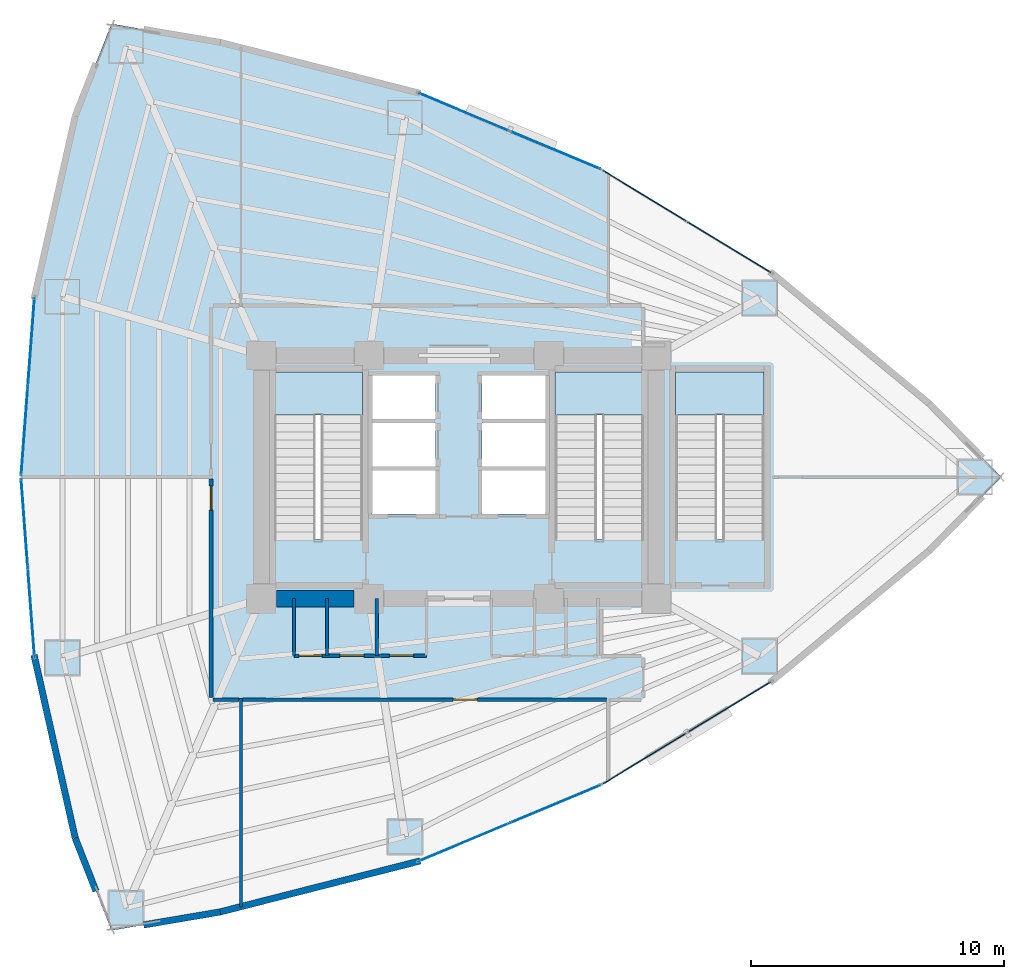
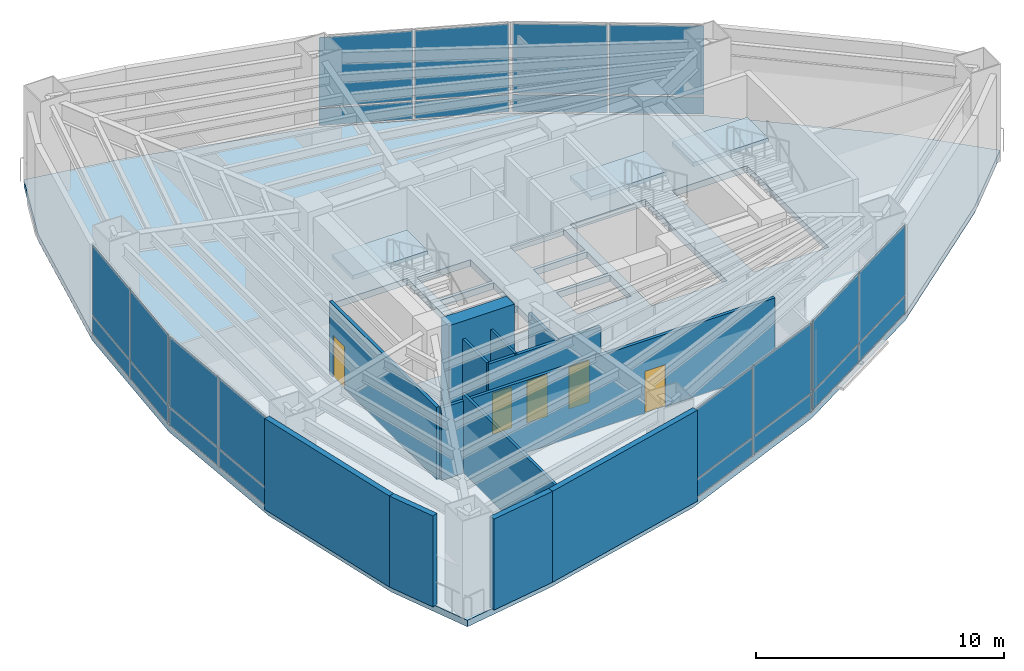
# One storey, part 13 of 18: 24 plates, 13 walls, 5 doors, 4 slabs, 5 openings, 9 elements without a shape of their own.
"""IFC4 building model written with IfcOpenShell, lengths in metres."""

from ifc_helpers import new_model, si_unit, direction, frame, frame_2d, origin, origin_2d, place, context, subcontext, project, spatial, polyline, rectangle, outline, extrude, material, layer, layer_set, type_object, element, fill, aggregate, save


model = new_model("IFC4")

# Units and contexts
model_context = context("Model", 3, precision=1e-05, world=origin(), true_north=direction((0.0, 1.0)))
body_context = subcontext(model_context, "Body", "Model", "MODEL_VIEW")
ifc_project = project(units=[si_unit("LENGTHUNIT", "METRE"), si_unit("AREAUNIT", "SQUARE_METRE"), si_unit("VOLUMEUNIT", "CUBIC_METRE"), si_unit("PLANEANGLEUNIT", "RADIAN"), si_unit("MASSUNIT", "GRAM", prefix="KILO")], contexts=[model_context])

# Site, building, storey
site_placement = place(None, origin())
site = spatial("IfcSite", under=ifc_project, at=site_placement, CompositionType="ELEMENT")
building_placement = place(site_placement, origin())
building = spatial("IfcBuilding", under=site, at=building_placement, Name="Menara Vayukalpa", CompositionType="ELEMENT")
storey_placement = place(building_placement, frame((0.0, 0.0, 7.199951171875)))
storey = spatial("IfcBuildingStorey", under=building, at=storey_placement, Name="L01", CompositionType="ELEMENT", Elevation=7.199951171875)

# Curtain wall, plates
ifc_material_1 = material(Name="Anodised Terracotta Aluminium Alloy 6063-T6", Category="masonry")
ifc_layer_1 = layer(ifc_material_1, 0.179931640625)
ifc_layer_set_1 = layer_set([ifc_layer_1], Name="Anodised Terracotta Aluminium Alloy 6063-T6")
curtain_wall_type = type_object("IfcCurtainWallType", Name="CW-CW1", PredefinedType="USERDEFINED", material=ifc_layer_set_1)
curtain_wall_1_placement = place(storey_placement, origin())
curtain_wall_1 = element("IfcCurtainWall", 1, at=curtain_wall_1_placement, inside=storey, type_object=curtain_wall_type, Name="L01 Podium Unitised Ribbon Curtain Wall CW1 04", ObjectType="UNITISED", PredefinedType="USERDEFINED")
ifc_material_2 = material(Name="Low-E Double Glazing", Category="glass")
ifc_layer_2 = layer(ifc_material_2, 0.035888671875)
ifc_layer_set_2 = layer_set([ifc_layer_2], Name="Low-E Double Glazing")
plate_type = type_object("IfcPlateType", Name="CWP-CW1", PredefinedType="CURTAIN_PANEL", material=ifc_layer_set_2)
plate_1_placement = place(storey_placement, frame((36.274169921875, 31.083251953125, 0.0751953125), z_axis=(0.0, 0.0, 1.0), x_axis=(-0.854664994604, 0.519179879231, 0.0)))
plate_1 = element("IfcPlate", 2, at=plate_1_placement, type_object=plate_type, Name="CW1 panel 1.1", PredefinedType="CURTAIN_PANEL", context=body_context, shape_type="SweptSolid", body=[
    extrude(rectangle(XDim=3.825927734375, YDim=0.035888671875, at=origin_2d()), origin(), (0.0, 0.0, 1.0), 0.83740234375),
])
plate_2_placement = place(storey_placement, frame((36.274169921875, 31.083251953125, 0.987548828125), z_axis=(0.0, 0.0, 1.0), x_axis=(-0.854664994604, 0.519179879231, 0.0)))
plate_2 = element("IfcPlate", 3, at=plate_2_placement, type_object=plate_type, Name="CW1 panel 1.2", PredefinedType="CURTAIN_PANEL", context=body_context, shape_type="SweptSolid", body=[
    extrude(rectangle(XDim=3.825927734375, YDim=0.035888671875, at=origin_2d()), origin(), (0.0, 0.0, 1.0), 3.41748046875),
])
plate_3_placement = place(storey_placement, frame((32.940185546875, 33.1083984375, 0.0751953125), z_axis=(0.0, 0.0, 1.0), x_axis=(-0.854664994604, 0.519179879231, 0.0)))
plate_3 = element("IfcPlate", 4, at=plate_3_placement, type_object=plate_type, Name="CW1 panel 2.1", PredefinedType="CURTAIN_PANEL", context=body_context, shape_type="SweptSolid", body=[
    extrude(rectangle(XDim=3.825927734375, YDim=0.035888671875, at=origin_2d()), origin(), (0.0, 0.0, 1.0), 0.83740234375),
])
plate_4_placement = place(storey_placement, frame((32.940185546875, 33.1083984375, 0.987548828125), z_axis=(0.0, 0.0, 1.0), x_axis=(-0.854664994604, 0.519179879231, 0.0)))
plate_4 = element("IfcPlate", 5, at=plate_4_placement, type_object=plate_type, Name="CW1 panel 2.2", PredefinedType="CURTAIN_PANEL", context=body_context, shape_type="SweptSolid", body=[
    extrude(rectangle(XDim=3.825927734375, YDim=0.035888671875, at=origin_2d()), origin(), (0.0, 0.0, 1.0), 3.41748046875),
])
aggregate(curtain_wall_1, [plate_1, plate_2, plate_3, plate_4])

curtain_wall_2_placement = place(storey_placement, origin())
curtain_wall_2 = element("IfcCurtainWall", 6, at=curtain_wall_2_placement, inside=storey, type_object=curtain_wall_type, Name="L01 Podium Unitised Ribbon Curtain Wall CW1 05", ObjectType="UNITISED", PredefinedType="USERDEFINED")
plate_5_placement = place(storey_placement, frame((29.407470703125, 34.90771484375, 0.0751953125), z_axis=(0.0, 0.0, 1.0), x_axis=(-0.922544543499, 0.385890613077, 0.0)))
plate_5 = element("IfcPlate", 7, at=plate_5_placement, type_object=plate_type, Name="CW1 panel 1.1", PredefinedType="CURTAIN_PANEL", context=body_context, shape_type="SweptSolid", body=[
    extrude(rectangle(XDim=3.82568359375, YDim=0.035888671875, at=origin_2d()), origin(), (0.0, 0.0, 1.0), 0.83740234375),
])
plate_6_placement = place(storey_placement, frame((29.407470703125, 34.90771484375, 0.987548828125), z_axis=(0.0, 0.0, 1.0), x_axis=(-0.922544543499, 0.385890613077, 0.0)))
plate_6 = element("IfcPlate", 8, at=plate_6_placement, type_object=plate_type, Name="CW1 panel 1.2", PredefinedType="CURTAIN_PANEL", context=body_context, shape_type="SweptSolid", body=[
    extrude(rectangle(XDim=3.82568359375, YDim=0.035888671875, at=origin_2d()), origin(), (0.0, 0.0, 1.0), 3.41748046875),
])
plate_7_placement = place(storey_placement, frame((25.808837890625, 36.412841796875, 0.0751953125), z_axis=(0.0, 0.0, 1.0), x_axis=(-0.922544543499, 0.385890613077, 0.0)))
plate_7 = element("IfcPlate", 9, at=plate_7_placement, type_object=plate_type, Name="CW1 panel 2.1", PredefinedType="CURTAIN_PANEL", context=body_context, shape_type="SweptSolid", body=[
    extrude(rectangle(XDim=3.82568359375, YDim=0.035888671875, at=origin_2d()), origin(), (0.0, 0.0, 1.0), 0.83740234375),
])
plate_8_placement = place(storey_placement, frame((25.808837890625, 36.412841796875, 0.987548828125), z_axis=(0.0, 0.0, 1.0), x_axis=(-0.922544543499, 0.385890613077, 0.0)))
plate_8 = element("IfcPlate", 10, at=plate_8_placement, type_object=plate_type, Name="CW1 panel 2.2", PredefinedType="CURTAIN_PANEL", context=body_context, shape_type="SweptSolid", body=[
    extrude(rectangle(XDim=3.82568359375, YDim=0.035888671875, at=origin_2d()), origin(), (0.0, 0.0, 1.0), 3.41748046875),
])
aggregate(curtain_wall_2, [plate_5, plate_6, plate_7, plate_8])

curtain_wall_3_placement = place(storey_placement, origin())
curtain_wall_3 = element("IfcCurtainWall", 11, at=curtain_wall_3_placement, inside=storey, type_object=curtain_wall_type, Name="L01 Podium Unitised Ribbon Curtain Wall CW1 10", ObjectType="UNITISED", PredefinedType="USERDEFINED")
plate_9_placement = place(storey_placement, frame((8.717041015625, 27.327880859375, 0.0751953125), z_axis=(0.0, 0.0, 1.0), x_axis=(-0.074794468953, -0.997198970825, 0.0)))
plate_9 = element("IfcPlate", 12, at=plate_9_placement, type_object=plate_type, Name="CW1 panel 1.1", PredefinedType="CURTAIN_PANEL", context=body_context, shape_type="SweptSolid", body=[
    extrude(rectangle(XDim=3.4619140625, YDim=0.035888671875, at=origin_2d()), origin(), (0.0, 0.0, 1.0), 0.83740234375),
])
plate_10_placement = place(storey_placement, frame((8.717041015625, 27.327880859375, 0.987548828125), z_axis=(0.0, 0.0, 1.0), x_axis=(-0.074794468953, -0.997198970825, 0.0)))
plate_10 = element("IfcPlate", 13, at=plate_10_placement, type_object=plate_type, Name="CW1 panel 1.2", PredefinedType="CURTAIN_PANEL", context=body_context, shape_type="SweptSolid", body=[
    extrude(rectangle(XDim=3.4619140625, YDim=0.035888671875, at=origin_2d()), origin(), (0.0, 0.0, 1.0), 3.41748046875),
])
plate_11_placement = place(storey_placement, frame((8.452392578125, 23.801025390625, 0.0751953125), z_axis=(0.0, 0.0, 1.0), x_axis=(-0.074794468953, -0.997198970825, 0.0)))
plate_11 = element("IfcPlate", 14, at=plate_11_placement, type_object=plate_type, Name="CW1 panel 2.1", PredefinedType="CURTAIN_PANEL", context=body_context, shape_type="SweptSolid", body=[
    extrude(rectangle(XDim=3.4619140625, YDim=0.035888671875, at=origin_2d()), origin(), (0.0, 0.0, 1.0), 0.83740234375),
])
plate_12_placement = place(storey_placement, frame((8.452392578125, 23.801025390625, 0.987548828125), z_axis=(0.0, 0.0, 1.0), x_axis=(-0.074794468953, -0.997198970825, 0.0)))
plate_12 = element("IfcPlate", 15, at=plate_12_placement, type_object=plate_type, Name="CW1 panel 2.2", PredefinedType="CURTAIN_PANEL", context=body_context, shape_type="SweptSolid", body=[
    extrude(rectangle(XDim=3.4619140625, YDim=0.035888671875, at=origin_2d()), origin(), (0.0, 0.0, 1.0), 3.41748046875),
])
aggregate(curtain_wall_3, [plate_9, plate_10, plate_11, plate_12])

curtain_wall_4_placement = place(storey_placement, origin())
curtain_wall_4 = element("IfcCurtainWall", 16, at=curtain_wall_4_placement, inside=storey, type_object=curtain_wall_type, Name="L01 Podium Unitised Ribbon Curtain Wall CW1 11", ObjectType="UNITISED", PredefinedType="USERDEFINED")
plate_13_placement = place(storey_placement, frame((8.452392578125, 20.198974609375, 0.0751953125), z_axis=(0.0, 0.0, 1.0), x_axis=(0.074794468953, -0.997198970825, 0.0)))
plate_13 = element("IfcPlate", 17, at=plate_13_placement, type_object=plate_type, Name="CW1 panel 1.1", PredefinedType="CURTAIN_PANEL", context=body_context, shape_type="SweptSolid", body=[
    extrude(rectangle(XDim=3.4619140625, YDim=0.035888671875, at=origin_2d()), origin(), (0.0, 0.0, 1.0), 0.83740234375),
])
plate_14_placement = place(storey_placement, frame((8.452392578125, 20.198974609375, 0.987548828125), z_axis=(0.0, 0.0, 1.0), x_axis=(0.074794468953, -0.997198970825, 0.0)))
plate_14 = element("IfcPlate", 18, at=plate_14_placement, type_object=plate_type, Name="CW1 panel 1.2", PredefinedType="CURTAIN_PANEL", context=body_context, shape_type="SweptSolid", body=[
    extrude(rectangle(XDim=3.4619140625, YDim=0.035888671875, at=origin_2d()), origin(), (0.0, 0.0, 1.0), 3.41748046875),
])
plate_15_placement = place(storey_placement, frame((8.717041015625, 16.672119140625, 0.0751953125), z_axis=(0.0, 0.0, 1.0), x_axis=(0.074794468953, -0.997198970825, 0.0)))
plate_15 = element("IfcPlate", 19, at=plate_15_placement, type_object=plate_type, Name="CW1 panel 2.1", PredefinedType="CURTAIN_PANEL", context=body_context, shape_type="SweptSolid", body=[
    extrude(rectangle(XDim=3.4619140625, YDim=0.035888671875, at=origin_2d()), origin(), (0.0, 0.0, 1.0), 0.83740234375),
])
plate_16_placement = place(storey_placement, frame((8.717041015625, 16.672119140625, 0.987548828125), z_axis=(0.0, 0.0, 1.0), x_axis=(0.074794468953, -0.997198970825, 0.0)))
plate_16 = element("IfcPlate", 20, at=plate_16_placement, type_object=plate_type, Name="CW1 panel 2.2", PredefinedType="CURTAIN_PANEL", context=body_context, shape_type="SweptSolid", body=[
    extrude(rectangle(XDim=3.4619140625, YDim=0.035888671875, at=origin_2d()), origin(), (0.0, 0.0, 1.0), 3.41748046875),
])
aggregate(curtain_wall_4, [plate_13, plate_14, plate_15, plate_16])

curtain_wall_5_placement = place(storey_placement, origin())
curtain_wall_5 = element("IfcCurtainWall", 21, at=curtain_wall_5_placement, inside=storey, type_object=curtain_wall_type, Name="L01 Podium Unitised Ribbon Curtain Wall CW1 16", ObjectType="UNITISED", PredefinedType="USERDEFINED")
plate_17_placement = place(storey_placement, frame((25.808837890625, 7.587158203125, 0.0751953125), z_axis=(0.0, 0.0, 1.0), x_axis=(0.922544543499, 0.385890613077, 0.0)))
plate_17 = element("IfcPlate", 22, at=plate_17_placement, type_object=plate_type, Name="CW1 panel 1.1", PredefinedType="CURTAIN_PANEL", context=body_context, shape_type="SweptSolid", body=[
    extrude(rectangle(XDim=3.82568359375, YDim=0.035888671875, at=origin_2d()), origin(), (0.0, 0.0, 1.0), 0.83740234375),
])
plate_18_placement = place(storey_placement, frame((25.808837890625, 7.587158203125, 0.987548828125), z_axis=(0.0, 0.0, 1.0), x_axis=(0.922544543499, 0.385890613077, 0.0)))
plate_18 = element("IfcPlate", 23, at=plate_18_placement, type_object=plate_type, Name="CW1 panel 1.2", PredefinedType="CURTAIN_PANEL", context=body_context, shape_type="SweptSolid", body=[
    extrude(rectangle(XDim=3.82568359375, YDim=0.035888671875, at=origin_2d()), origin(), (0.0, 0.0, 1.0), 3.41748046875),
])
plate_19_placement = place(storey_placement, frame((29.407470703125, 9.09228515625, 0.0751953125), z_axis=(0.0, 0.0, 1.0), x_axis=(0.922544543499, 0.385890613077, 0.0)))
plate_19 = element("IfcPlate", 24, at=plate_19_placement, type_object=plate_type, Name="CW1 panel 2.1", PredefinedType="CURTAIN_PANEL", context=body_context, shape_type="SweptSolid", body=[
    extrude(rectangle(XDim=3.82568359375, YDim=0.035888671875, at=origin_2d()), origin(), (0.0, 0.0, 1.0), 0.83740234375),
])
plate_20_placement = place(storey_placement, frame((29.407470703125, 9.09228515625, 0.987548828125), z_axis=(0.0, 0.0, 1.0), x_axis=(0.922544543499, 0.385890613077, 0.0)))
plate_20 = element("IfcPlate", 25, at=plate_20_placement, type_object=plate_type, Name="CW1 panel 2.2", PredefinedType="CURTAIN_PANEL", context=body_context, shape_type="SweptSolid", body=[
    extrude(rectangle(XDim=3.82568359375, YDim=0.035888671875, at=origin_2d()), origin(), (0.0, 0.0, 1.0), 3.41748046875),
])
aggregate(curtain_wall_5, [plate_17, plate_18, plate_19, plate_20])

curtain_wall_6_placement = place(storey_placement, origin())
curtain_wall_6 = element("IfcCurtainWall", 26, at=curtain_wall_6_placement, inside=storey, type_object=curtain_wall_type, Name="L01 Podium Unitised Ribbon Curtain Wall CW1 17", ObjectType="UNITISED", PredefinedType="USERDEFINED")
plate_21_placement = place(storey_placement, frame((32.940185546875, 10.8916015625, 0.0751953125), z_axis=(0.0, 0.0, 1.0), x_axis=(0.854664994604, 0.519179879231, 0.0)))
plate_21 = element("IfcPlate", 27, at=plate_21_placement, type_object=plate_type, Name="CW1 panel 1.1", PredefinedType="CURTAIN_PANEL", context=body_context, shape_type="SweptSolid", body=[
    extrude(rectangle(XDim=3.825927734375, YDim=0.035888671875, at=origin_2d()), origin(), (0.0, 0.0, 1.0), 0.83740234375),
])
plate_22_placement = place(storey_placement, frame((32.940185546875, 10.8916015625, 0.987548828125), z_axis=(0.0, 0.0, 1.0), x_axis=(0.854664994604, 0.519179879231, 0.0)))
plate_22 = element("IfcPlate", 28, at=plate_22_placement, type_object=plate_type, Name="CW1 panel 1.2", PredefinedType="CURTAIN_PANEL", context=body_context, shape_type="SweptSolid", body=[
    extrude(rectangle(XDim=3.825927734375, YDim=0.035888671875, at=origin_2d()), origin(), (0.0, 0.0, 1.0), 3.41748046875),
])
plate_23_placement = place(storey_placement, frame((36.274169921875, 12.916748046875, 0.0751953125), z_axis=(0.0, 0.0, 1.0), x_axis=(0.854664994604, 0.519179879231, 0.0)))
plate_23 = element("IfcPlate", 29, at=plate_23_placement, type_object=plate_type, Name="CW1 panel 2.1", PredefinedType="CURTAIN_PANEL", context=body_context, shape_type="SweptSolid", body=[
    extrude(rectangle(XDim=3.825927734375, YDim=0.035888671875, at=origin_2d()), origin(), (0.0, 0.0, 1.0), 0.83740234375),
])
plate_24_placement = place(storey_placement, frame((36.274169921875, 12.916748046875, 0.987548828125), z_axis=(0.0, 0.0, 1.0), x_axis=(0.854664994604, 0.519179879231, 0.0)))
plate_24 = element("IfcPlate", 30, at=plate_24_placement, type_object=plate_type, Name="CW1 panel 2.2", PredefinedType="CURTAIN_PANEL", context=body_context, shape_type="SweptSolid", body=[
    extrude(rectangle(XDim=3.825927734375, YDim=0.035888671875, at=origin_2d()), origin(), (0.0, 0.0, 1.0), 3.41748046875),
])
aggregate(curtain_wall_6, [plate_21, plate_22, plate_23, plate_24])

# Slab
ifc_material_3 = material(Name="Concrete C45/55", Category="concrete")
ifc_layer_3 = layer(ifc_material_3, 0.320068359375)
ifc_layer_set_3 = layer_set([ifc_layer_3], Name="Concrete C45/55")
slab_type_1 = type_object("IfcSlabType", Name="SLB-FL320", PredefinedType="FLOOR", material=ifc_layer_set_3)
slab_1_placement = place(storey_placement, frame((0.0, 0.0, -0.320068359375)))
element("IfcSlab", 31, at=slab_1_placement, inside=storey, type_object=slab_type_1, Name="L01 Structural Floor Slab", PredefinedType="FLOOR", context=body_context, shape_type="SweptSolid", body=[
    extrude(outline(polyline([(44.17041015625, 19.088134765625), (47.029296875, 22.0), (44.17041015625, 24.911865234375), (37.97314453125, 30.051025390625), (31.2412109375, 34.140380859375), (23.974853515625, 37.179931640625), (16.173583984375, 39.169677734375), (11.885498046875, 39.8974609375), (10.4560546875, 36.2578125), (8.85205078125, 29.12890625), (8.3173828125, 22.0), (8.85205078125, 14.87109375), (10.4560546875, 7.7421875), (11.885498046875, 4.1025390625), (16.173583984375, 4.830322265625), (23.974853515625, 6.820068359375), (31.2412109375, 9.859619140625), (37.97314453125, 13.948974609375), (44.17041015625, 19.088134765625)]), holes=[polyline([(21.800048828125, 19.550048828125), (21.800048828125, 26.14990234375), (18.300048828125, 26.14990234375), (18.300048828125, 19.550048828125), (21.800048828125, 19.550048828125)]), polyline([(32.89990234375, 19.550048828125), (32.89990234375, 26.14990234375), (29.39990234375, 26.14990234375), (29.39990234375, 19.550048828125), (32.89990234375, 19.550048828125)]), polyline([(37.64990234375, 19.550048828125), (37.64990234375, 26.14990234375), (34.14990234375, 26.14990234375), (34.14990234375, 19.550048828125), (37.64990234375, 19.550048828125)]), polyline([(22.179931640625, 20.550048828125), (24.679931640625, 20.550048828125), (24.679931640625, 22.27001953125), (22.179931640625, 22.27001953125), (22.179931640625, 20.550048828125)]), polyline([(26.52001953125, 20.550048828125), (29.02001953125, 20.550048828125), (29.02001953125, 22.27001953125), (26.52001953125, 22.27001953125), (26.52001953125, 20.550048828125)]), polyline([(22.179931640625, 22.419921875), (24.679931640625, 22.419921875), (24.679931640625, 24.139892578125), (22.179931640625, 24.139892578125), (22.179931640625, 22.419921875)]), polyline([(22.179931640625, 24.2900390625), (24.679931640625, 24.2900390625), (24.679931640625, 26.010009765625), (22.179931640625, 26.010009765625), (22.179931640625, 24.2900390625)]), polyline([(26.52001953125, 24.2900390625), (29.02001953125, 24.2900390625), (29.02001953125, 26.010009765625), (26.52001953125, 26.010009765625), (26.52001953125, 24.2900390625)]), polyline([(26.52001953125, 22.419921875), (29.02001953125, 22.419921875), (29.02001953125, 24.139892578125), (26.52001953125, 24.139892578125), (26.52001953125, 22.419921875)])]), origin(), (0.0, 0.0, 1.0), 0.320068359375),
])

# Stair, slab
ifc_material_4 = material(Name="Precast Concrete C40/50", Category="concrete")
stair_type = type_object("IfcStairType", Name="STR-T01", PredefinedType="DOUBLE_RETURN_STAIR", material=ifc_material_4)
stair_1_placement = place(storey_placement, origin())
stair_1 = element("IfcStair", 32, at=stair_1_placement, inside=storey, type_object=stair_type, Name="L01 Core Exit Stair ST-1", PredefinedType="DOUBLE_RETURN_STAIR")
ifc_material_5 = material(Name="Precast Concrete C40/50", Category="concrete")
ifc_layer_4 = layer(ifc_material_5, 0.199951171875)
ifc_layer_set_4 = layer_set([ifc_layer_4], Name="Precast Concrete C40/50")
slab_type_2 = type_object("IfcSlabType", Name="SLB-LND200", PredefinedType="LANDING", material=ifc_layer_set_4)
slab_2_placement = place(storey_placement, frame((0.0, 0.0, 2.199951171875)))
slab_2 = element("IfcSlab", 33, at=slab_2_placement, type_object=slab_type_2, Name="ST-1 landing 1", PredefinedType="LANDING", context=body_context, shape_type="SweptSolid", body=[
    extrude(outline(polyline([(21.800048828125, 24.449951171875), (21.800048828125, 26.14990234375), (18.300048828125, 26.14990234375), (18.300048828125, 24.449951171875), (21.800048828125, 24.449951171875)])), origin(), (0.0, 0.0, 1.0), 0.2001953125),
])
aggregate(stair_1, [slab_2])

stair_2_placement = place(storey_placement, origin())
stair_2 = element("IfcStair", 34, at=stair_2_placement, inside=storey, type_object=stair_type, Name="L01 Core Exit Stair ST-2", PredefinedType="DOUBLE_RETURN_STAIR")
slab_3_placement = place(storey_placement, frame((0.0, 0.0, 2.199951171875)))
slab_3 = element("IfcSlab", 35, at=slab_3_placement, type_object=slab_type_2, Name="ST-2 landing 1", PredefinedType="LANDING", context=body_context, shape_type="SweptSolid", body=[
    extrude(outline(polyline([(32.89990234375, 24.449951171875), (32.89990234375, 26.14990234375), (29.39990234375, 26.14990234375), (29.39990234375, 24.449951171875), (32.89990234375, 24.449951171875)])), origin(), (0.0, 0.0, 1.0), 0.2001953125),
])
aggregate(stair_2, [slab_3])

stair_3_placement = place(storey_placement, origin())
stair_3 = element("IfcStair", 36, at=stair_3_placement, inside=storey, type_object=stair_type, Name="L01 Podium Exit Stair ST-3", PredefinedType="DOUBLE_RETURN_STAIR")
slab_4_placement = place(storey_placement, frame((0.0, 0.0, 2.199951171875)))
slab_4 = element("IfcSlab", 37, at=slab_4_placement, type_object=slab_type_2, Name="ST-3 landing 1", PredefinedType="LANDING", context=body_context, shape_type="SweptSolid", body=[
    extrude(outline(polyline([(37.64990234375, 24.449951171875), (37.64990234375, 26.14990234375), (34.14990234375, 26.14990234375), (34.14990234375, 24.449951171875), (37.64990234375, 24.449951171875)])), origin(), (0.0, 0.0, 1.0), 0.2001953125),
])
aggregate(stair_3, [slab_4])

# Walls
ifc_material_6 = material(Name="Concrete C80/95", Category="concrete")
ifc_layer_5 = layer(ifc_material_6, 0.64990234375)
ifc_layer_set_5 = layer_set([ifc_layer_5], Name="Concrete C80/95")
wall_type_1 = type_object("IfcWallType", Name="WAL-CW650", PredefinedType="SHEAR", material=ifc_layer_set_5)
wall_1_placement = place(storey_placement, frame((18.39501953125, 17.199951171875, 0.0), z_axis=(0.0, 0.0, 1.0), x_axis=(1.0, 0.0, 0.0)))
element("IfcWall", 38, at=wall_1_placement, inside=storey, type_object=wall_type_1, Name="L01 Buttressed Core Shear Wall CWS1", PredefinedType="SHEAR", context=body_context, shape_type="SweptSolid", body=[
    extrude(rectangle(XDim=3.06005859375, YDim=0.64990234375, at=frame_2d((1.530029296875, 0.0))), origin(), (0.0, 0.0, 1.0), 4.47998046875),
])
ifc_material_7 = material(Name="Insulated Precast Concrete C40/50", Category="concrete")
ifc_layer_6 = layer(ifc_material_7, 0.260009765625)
ifc_layer_set_6 = layer_set([ifc_layer_6], Name="Insulated Precast Concrete C40/50")
wall_type_2 = type_object("IfcWallType", Name="WAL-EXT260", PredefinedType="PARTITIONING", material=ifc_layer_set_6)
wall_2_placement = place(storey_placement, frame((10.4560546875, 7.7421875, 0.0), z_axis=(0.0, 0.0, 1.0), x_axis=(-0.219512195122, 0.975609756098, 0.0)))
element("IfcWall", 39, at=wall_2_placement, inside=storey, type_object=wall_type_2, Name="L01 Perimeter Terracotta Pier Wall 12", PredefinedType="PARTITIONING", context=body_context, shape_type="SweptSolid", body=[
    extrude(rectangle(XDim=7.417236328125, YDim=0.260009765625, at=frame_2d((3.70849609375, 0.0))), origin(), (0.0, 0.0, 1.0), 4.47998046875),
])
wall_3_placement = place(storey_placement, frame((11.27587890625, 5.654541015625, 0.0), z_axis=(0.0, 0.0, 1.0), x_axis=(-0.365527759733, 0.930800438797, 0.0)))
element("IfcWall", 40, at=wall_3_placement, inside=storey, type_object=wall_type_2, Name="L01 Perimeter Terracotta Pier Wall 13", PredefinedType="PARTITIONING", context=body_context, shape_type="SweptSolid", body=[
    extrude(rectangle(XDim=2.242919921875, YDim=0.260009765625, at=frame_2d((1.12158203125, 0.0))), origin(), (0.0, 0.0, 1.0), 4.47998046875),
])
wall_4_placement = place(storey_placement, frame((16.179443359375, 4.831298828125, 0.0), z_axis=(0.0, 0.0, 1.0), x_axis=(-0.985905166387, -0.167305119144, 0.0)))
element("IfcWall", 41, at=wall_4_placement, inside=storey, type_object=wall_type_2, Name="L01 Perimeter Terracotta Pier Wall 14", PredefinedType="PARTITIONING", context=body_context, shape_type="SweptSolid", body=[
    extrude(rectangle(XDim=3.064453125, YDim=0.260009765625, at=frame_2d((1.5322265625, 0.0))), origin(), (0.0, 0.0, 1.0), 4.47998046875),
])
wall_5_placement = place(storey_placement, frame((24.081298828125, 6.84716796875, 0.0), z_axis=(0.0, 0.0, 1.0), x_axis=(-0.968981557045, -0.247133045354, 0.0)))
element("IfcWall", 42, at=wall_5_placement, inside=storey, type_object=wall_type_2, Name="L01 Perimeter Terracotta Pier Wall 15", PredefinedType="PARTITIONING", context=body_context, shape_type="SweptSolid", body=[
    extrude(rectangle(XDim=8.1669921875, YDim=0.260009765625, at=frame_2d((4.08349609375, 0.0))), origin(), (0.0, 0.0, 1.0), 4.47998046875),
])
ifc_material_8 = material(Name="Acoustic Mineral Stud Partition", Category="masonry")
ifc_layer_7 = layer(ifc_material_8, 0.110107421875)
ifc_layer_set_7 = layer_set([ifc_layer_7], Name="Acoustic Mineral Stud Partition")
wall_type_3 = type_object("IfcWallType", Name="WAL-PT110", PredefinedType="PARTITIONING", material=ifc_layer_set_7)
wall_6_placement = place(storey_placement, frame((20.39990234375, 14.949951171875, 0.0), z_axis=(0.0, 0.0, 1.0), x_axis=(0.0, 1.0, 0.0)))
element("IfcWall", 43, at=wall_6_placement, inside=storey, type_object=wall_type_3, Name="L01 Interior Partition IW-L01-SVCD-02", PredefinedType="PARTITIONING", context=body_context, shape_type="SweptSolid", body=[
    extrude(rectangle(XDim=2.25, YDim=0.110107421875, at=frame_2d((1.125, 0.0))), origin(), (0.0, 0.0, 1.0), 3.610107421875),
])
ifc_material_9 = material(Name="Gypsum Drywall Steel Stud Assembly", Category="steel")
ifc_layer_8 = layer(ifc_material_9, 0.125)
ifc_layer_set_8 = layer_set([ifc_layer_8], Name="Gypsum Drywall Steel Stud Assembly")
wall_type_4 = type_object("IfcWallType", Name="WAL-PT125", PredefinedType="PARTITIONING", material=ifc_layer_set_8)
wall_7_placement = place(storey_placement, frame((19.10009765625, 14.949951171875, 0.0), z_axis=(0.0, 0.0, 1.0), x_axis=(0.0, 1.0, 0.0)))
element("IfcWall", 44, at=wall_7_placement, inside=storey, type_object=wall_type_4, Name="L01 Interior Partition IW-L01-SVCD-01", PredefinedType="PARTITIONING", context=body_context, shape_type="SweptSolid", body=[
    extrude(rectangle(XDim=2.25, YDim=0.125, at=frame_2d((1.125, 0.0))), origin(), (0.0, 0.0, 1.0), 3.610107421875),
])
wall_8_placement = place(storey_placement, frame((22.360107421875, 14.949951171875, 0.0), z_axis=(0.0, 0.0, 1.0), x_axis=(0.0, 1.0, 0.0)))
element("IfcWall", 45, at=wall_8_placement, inside=storey, type_object=wall_type_4, Name="L01 Interior Partition IW-L01-SVCD-03", PredefinedType="PARTITIONING", context=body_context, shape_type="SweptSolid", body=[
    extrude(rectangle(XDim=2.25, YDim=0.125, at=frame_2d((1.125, 0.0))), origin(), (0.0, 0.0, 1.0), 3.56005859375),
])
wall_9_placement = place(storey_placement, frame((17.0, 5.03076171875, 0.0), z_axis=(0.0, 0.0, 1.0), x_axis=(0.0, 1.0, 0.0)))
element("IfcWall", 46, at=wall_9_placement, inside=storey, type_object=wall_type_4, Name="L01 Interior Partition IW-L01-RDIV01", PredefinedType="PARTITIONING", context=body_context, shape_type="SweptSolid", body=[
    extrude(rectangle(XDim=8.229248046875, YDim=0.125, at=frame_2d((4.11474609375, 0.0))), origin(), (0.0, 0.0, 1.0), 3.860107421875),
])

# Wall, openings, doors
ifc_material_10 = material(Name="Gypsum Drywall Acoustic Stud Assembly", Category="masonry")
ifc_layer_9 = layer(ifc_material_10, 0.14501953125)
ifc_layer_set_9 = layer_set([ifc_layer_9], Name="Gypsum Drywall Acoustic Stud Assembly")
wall_type_5 = type_object("IfcWallType", Name="WAL-PT150", PredefinedType="PARTITIONING", material=ifc_layer_set_9)
wall_10_placement = place(storey_placement, frame((19.10009765625, 14.949951171875, 0.0), z_axis=(0.0, 0.0, 1.0), x_axis=(1.0, 0.0, 0.0)))
wall_10 = element("IfcWall", 47, at=wall_10_placement, inside=storey, type_object=wall_type_5, Name="L01 Interior Partition IW-L01-SVCS-W", PredefinedType="PARTITIONING", context=body_context, shape_type="SweptSolid", body=[
    extrude(rectangle(XDim=5.219970703125, YDim=0.14501953125, at=frame_2d((2.60986328125, 0.0))), origin(), (0.0, 0.0, 1.0), 3.56005859375),
])
opening_1_placement = place(wall_10_placement, frame((0.199951171875, 0.0, 0.0)))
opening_1 = element("IfcOpeningElement", 48, at=opening_1_placement, cuts=wall_10, Name="Opening ID7", PredefinedType="OPENING", context=body_context, shape_type="SweptSolid", body=[
    extrude(rectangle(XDim=0.89990234375, YDim=2.02001953125, at=frame_2d((0.449951171875, 1.010009765625))), frame((0.0, 0.08251953125, 0.0), z_axis=(0.0, -1.0, 0.0), x_axis=(1.0, 0.0, 0.0)), (0.0, 0.0, 1.0), 0.1650390625),
])
opening_2_placement = place(wall_10_placement, frame((1.804931640625, 0.0, 0.0)))
opening_2 = element("IfcOpeningElement", 49, at=opening_2_placement, cuts=wall_10, Name="Opening ID5", PredefinedType="OPENING", context=body_context, shape_type="SweptSolid", body=[
    extrude(rectangle(XDim=0.949951171875, YDim=2.06005859375, at=frame_2d((0.47509765625, 1.030029296875))), frame((0.0, 0.08251953125, 0.0), z_axis=(0.0, -1.0, 0.0), x_axis=(1.0, 0.0, 0.0)), (0.0, 0.0, 1.0), 0.1650390625),
])
opening_3_placement = place(wall_10_placement, frame((3.764892578125, 0.0, 0.0)))
opening_3 = element("IfcOpeningElement", 50, at=opening_3_placement, cuts=wall_10, Name="Opening ID5", PredefinedType="OPENING", context=body_context, shape_type="SweptSolid", body=[
    extrude(rectangle(XDim=0.949951171875, YDim=2.06005859375, at=frame_2d((0.47509765625, 1.030029296875))), frame((0.0, 0.08251953125, 0.0), z_axis=(0.0, -1.0, 0.0), x_axis=(1.0, 0.0, 0.0)), (0.0, 0.0, 1.0), 0.1650390625),
])
ifc_material_11 = material(Name="Acoustic Hardwood Veneer Timber Door", Category="wood")
door_type_1 = type_object("IfcDoorType", Name="DR-INT95", OperationType="NOTDEFINED", PredefinedType="DOOR", material=ifc_material_11)
door_1_placement = place(opening_2_placement, origin())
door_1 = element("IfcDoor", 51, at=door_1_placement, inside=storey, type_object=door_type_1, Name="L01 Interior Door DR-L01-AWC", OperationType="SINGLE_SWING_LEFT", OverallHeight=2.06005859375, OverallWidth=0.949951171875, PredefinedType="DOOR", context=body_context, shape_type="SweptSolid", body=[
    extrude(rectangle(XDim=0.949951171875, YDim=2.06005859375, at=frame_2d((0.47509765625, 1.030029296875))), frame((0.0, 0.02490234375, 0.0), z_axis=(0.0, -1.0, 0.0), x_axis=(1.0, 0.0, 0.0)), (0.0, 0.0, 1.0), 0.050048828125),
])
fill(opening_2, door_1)
door_2_placement = place(opening_3_placement, origin())
door_2 = element("IfcDoor", 52, at=door_2_placement, inside=storey, type_object=door_type_1, Name="L01 Interior Door DR-L01-SWC", OperationType="SINGLE_SWING_RIGHT", OverallHeight=2.06005859375, OverallWidth=0.949951171875, PredefinedType="DOOR", context=body_context, shape_type="SweptSolid", body=[
    extrude(rectangle(XDim=0.949951171875, YDim=2.06005859375, at=frame_2d((0.47509765625, 1.030029296875))), frame((0.0, 0.02490234375, 0.0), z_axis=(0.0, -1.0, 0.0), x_axis=(1.0, 0.0, 0.0)), (0.0, 0.0, 1.0), 0.050048828125),
])
fill(opening_3, door_2)
ifc_material_12 = material(Name="Powder-Coated Steel Riser Access Door", Category="steel")
door_type_2 = type_object("IfcDoorType", Name="DR-RISER", OperationType="NOTDEFINED", PredefinedType="DOOR", material=ifc_material_12)
door_3_placement = place(opening_1_placement, origin())
door_3 = element("IfcDoor", 53, at=door_3_placement, inside=storey, type_object=door_type_2, Name="L01 Interior Door DR-L01-ELR", OperationType="SINGLE_SWING_RIGHT", OverallHeight=2.02001953125, OverallWidth=0.89990234375, PredefinedType="DOOR", context=body_context, shape_type="SweptSolid", body=[
    extrude(rectangle(XDim=0.89990234375, YDim=2.02001953125, at=frame_2d((0.449951171875, 1.010009765625))), frame((0.0, 0.02490234375, 0.0), z_axis=(0.0, -1.0, 0.0), x_axis=(1.0, 0.0, 0.0)), (0.0, 0.0, 1.0), 0.050048828125),
])
fill(opening_1, door_3)

# Wall, opening, door
wall_11_placement = place(storey_placement, frame((15.820068359375, 21.929931640625, 0.0), z_axis=(0.0, 0.0, 1.0), x_axis=(0.0, -1.0, 0.0)))
wall_11 = element("IfcWall", 54, at=wall_11_placement, inside=storey, type_object=wall_type_5, Name="L01 Interior Partition IW-L01-CRM01-1", PredefinedType="PARTITIONING", context=body_context, shape_type="SweptSolid", body=[
    extrude(rectangle(XDim=8.639892578125, YDim=0.14501953125, at=frame_2d((4.31982421875, 0.0))), origin(), (0.0, 0.0, 1.0), 3.56005859375),
])
opening_4_placement = place(wall_11_placement, frame((0.280029296875, 0.0, 0.0)))
opening_4 = element("IfcOpeningElement", 55, at=opening_4_placement, cuts=wall_11, Name="Opening ID5", PredefinedType="OPENING", context=body_context, shape_type="SweptSolid", body=[
    extrude(rectangle(XDim=0.949951171875, YDim=2.06005859375, at=frame_2d((0.47509765625, 1.030029296875))), frame((0.0, 0.08251953125, 0.0), z_axis=(0.0, -1.0, 0.0), x_axis=(1.0, 0.0, 0.0)), (0.0, 0.0, 1.0), 0.1650390625),
])
door_4_placement = place(opening_4_placement, origin())
door_4 = element("IfcDoor", 56, at=door_4_placement, inside=storey, type_object=door_type_1, Name="L01 Interior Door DR-L01-RM01", OperationType="SINGLE_SWING_RIGHT", OverallHeight=2.06005859375, OverallWidth=0.949951171875, PredefinedType="DOOR", context=body_context, shape_type="SweptSolid", body=[
    extrude(rectangle(XDim=0.949951171875, YDim=2.06005859375, at=frame_2d((0.47509765625, 1.030029296875))), frame((0.0, 0.02490234375, 0.0), z_axis=(0.0, -1.0, 0.0), x_axis=(1.0, 0.0, 0.0)), (0.0, 0.0, 1.0), 0.050048828125),
])
fill(opening_4, door_4)

# Wall
wall_12_placement = place(storey_placement, frame((15.89990234375, 13.2099609375, 0.0), z_axis=(0.0, 0.0, 1.0), x_axis=(1.0, 0.0, 0.0)))
element("IfcWall", 57, at=wall_12_placement, inside=storey, type_object=wall_type_5, Name="L01 Interior Partition IW-L01-CRM01-2", PredefinedType="PARTITIONING", context=body_context, shape_type="SweptSolid", body=[
    extrude(rectangle(XDim=1.030029296875, YDim=0.14501953125, at=frame_2d((0.51513671875, 0.0))), origin(), (0.0, 0.0, 1.0), 3.56005859375),
])

# Wall, opening, door
wall_13_placement = place(storey_placement, frame((17.070068359375, 13.2099609375, 0.0), z_axis=(0.0, 0.0, 1.0), x_axis=(1.0, 0.0, 0.0)))
wall_13 = element("IfcWall", 58, at=wall_13_placement, inside=storey, type_object=wall_type_5, Name="L01 Interior Partition IW-L01-CRM03-1", PredefinedType="PARTITIONING", context=body_context, shape_type="SweptSolid", body=[
    extrude(rectangle(XDim=14.35986328125, YDim=0.14501953125, at=frame_2d((7.179931640625, 0.0))), origin(), (0.0, 0.0, 1.0), 3.56005859375),
])
opening_5_placement = place(wall_13_placement, frame((8.311279296875, 0.0, 0.0)))
opening_5 = element("IfcOpeningElement", 59, at=opening_5_placement, cuts=wall_13, Name="Opening ID5", PredefinedType="OPENING", context=body_context, shape_type="SweptSolid", body=[
    extrude(rectangle(XDim=0.949951171875, YDim=2.06005859375, at=frame_2d((0.47509765625, 1.030029296875))), frame((0.0, 0.08251953125, 0.0), z_axis=(0.0, -1.0, 0.0), x_axis=(1.0, 0.0, 0.0)), (0.0, 0.0, 1.0), 0.1650390625),
])
door_5_placement = place(opening_5_placement, origin())
door_5 = element("IfcDoor", 60, at=door_5_placement, inside=storey, type_object=door_type_1, Name="L01 Interior Door DR-L01-RM03", OperationType="SINGLE_SWING_LEFT", OverallHeight=2.06005859375, OverallWidth=0.949951171875, PredefinedType="DOOR", context=body_context, shape_type="SweptSolid", body=[
    extrude(rectangle(XDim=0.949951171875, YDim=2.06005859375, at=frame_2d((0.47509765625, 1.030029296875))), frame((0.0, 0.02490234375, 0.0), z_axis=(0.0, -1.0, 0.0), x_axis=(1.0, 0.0, 0.0)), (0.0, 0.0, 1.0), 0.050048828125),
])
fill(opening_5, door_5)

save(model, "model.ifc")
